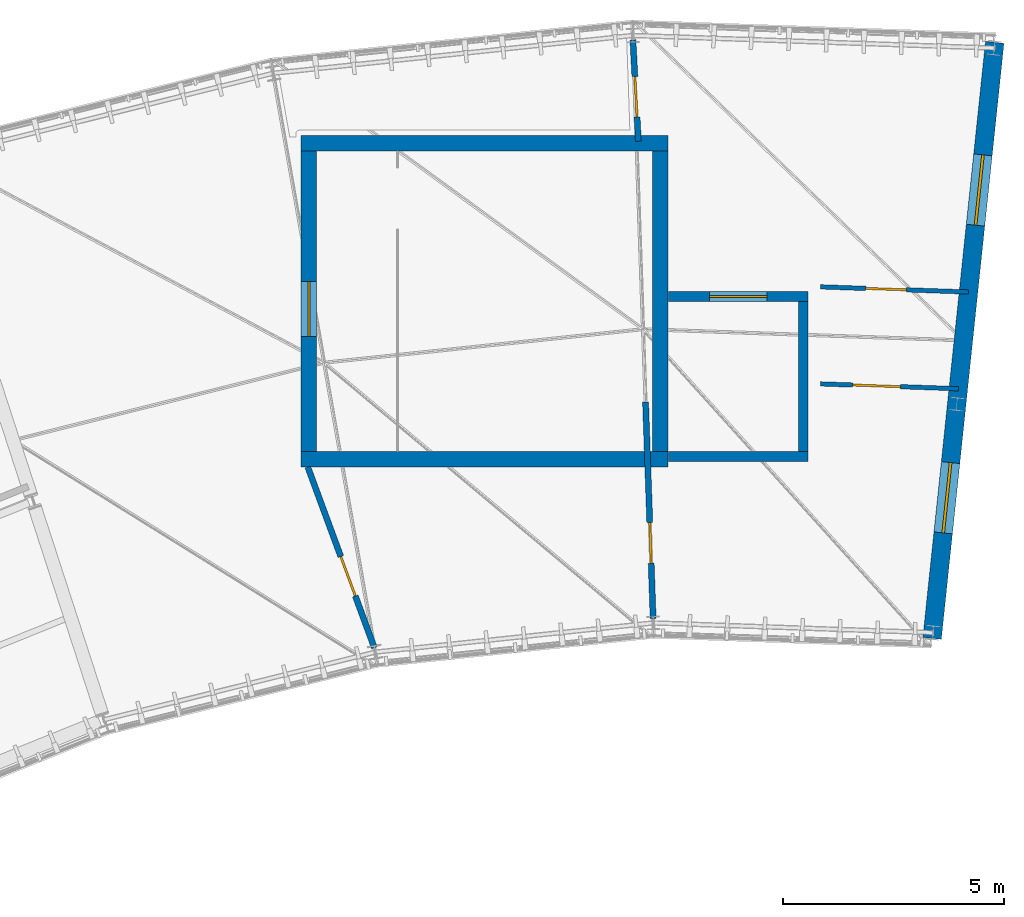
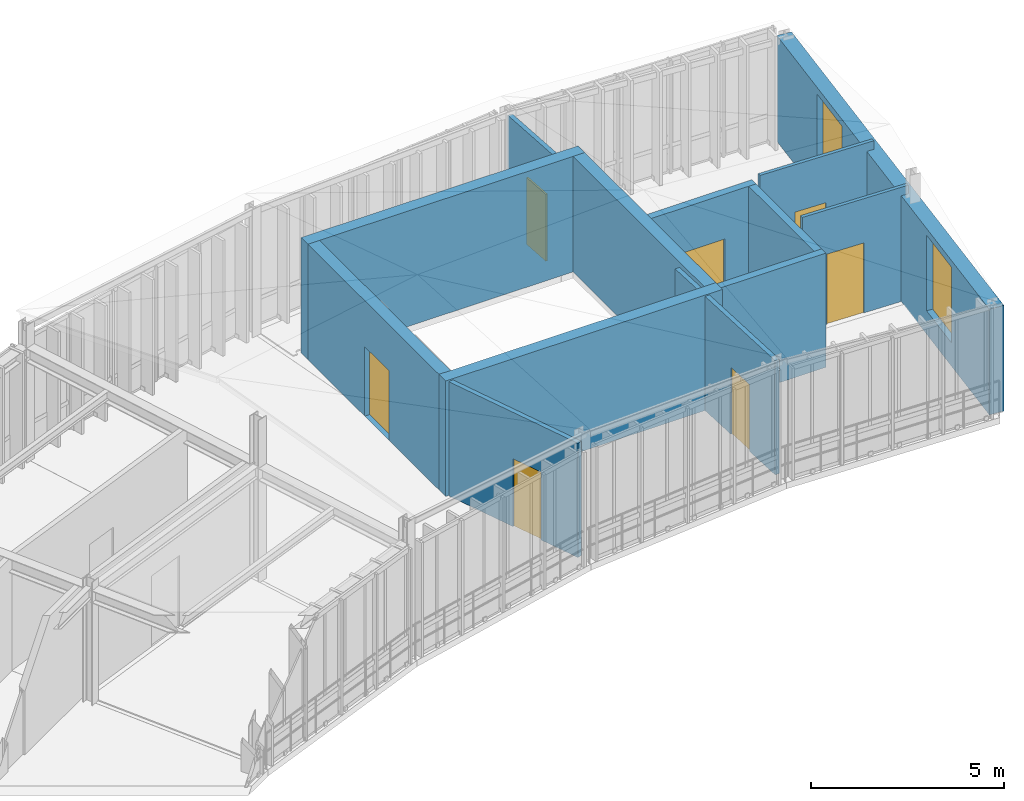
# One storey, part 33 of 42: 13 walls, 7 doors, 2 windows, 9 openings.
"""IFC4 building model written with IfcOpenShell, lengths in metres."""

import ifcopenshell
import ifcopenshell.guid

model = None  # the IFC model being written
_history = None  # IfcOwnerHistory: only IFC2X3 demands one
_inside = {}  # id of a spatial element -> (the spatial element, [elements in it])
_under = {}  # id of a project, library or spatial element -> (it, [spatial elements below it])
_declared = {}  # id of a project -> (the project, [libraries it declares])
_typed = {}  # id of a type object -> (the type object, [elements of that type])
_made_of = {}  # id of a material, layer set ... -> (it, [elements and type objects made of it])


def new_model(schema):
    """Start an empty IFC model of exactly this schema.

    Asked for "IFC4X3", IfcOpenShell would pick the latest addendum, in which some entities
    have other attributes; the version numbers below select the first issue.
    IFC2X3 requires an IfcOwnerHistory on every rooted entity: one is made here for all.
    """
    global model, _history
    if schema == "IFC4X3":
        model = ifcopenshell.file(schema_version=(4, 3, 0, 0))
    else:
        model = ifcopenshell.file(schema=schema)
    _inside.clear()
    _under.clear()
    _declared.clear()
    _typed.clear()
    _made_of.clear()
    _history = None
    if model.schema == "IFC2X3":
        org = make("IfcOrganization", Name="unknown")
        user = make(
            "IfcPersonAndOrganization",
            ThePerson=make("IfcPerson", FamilyName="unknown"),
            TheOrganization=org,
        )
        app = make(
            "IfcApplication",
            ApplicationDeveloper=org,
            Version="unknown",
            ApplicationFullName="unknown",
            ApplicationIdentifier="unknown",
        )
        _history = make(
            "IfcOwnerHistory",
            OwningUser=user,
            OwningApplication=app,
            ChangeAction="ADDED",
            CreationDate=0,
        )
    return model


def make(cls, **values):
    """One entity of the class cls with the attributes given. An attribute that is None is left unset."""
    return model.create_entity(
        cls, **{name: value for name, value in values.items() if value is not None}
    )


def rooted(cls, **values):
    """An entity with a GlobalId (a new one), such as an element, a storey or a relation."""
    return make(cls, GlobalId=ifcopenshell.guid.new(), OwnerHistory=_history, **values)


def si_unit(unit_type, name, prefix=None):
    """IfcSIUnit, for example si_unit("LENGTHUNIT", "METRE", prefix="MILLI")."""
    return make("IfcSIUnit", UnitType=unit_type, Prefix=prefix, Name=name)


def assignment(units):
    """IfcUnitAssignment: the units of a project."""
    return None if units is None else make("IfcUnitAssignment", Units=units)


def point(xyz):
    """IfcCartesianPoint."""
    return None if xyz is None else make("IfcCartesianPoint", Coordinates=xyz)


def direction(xyz):
    """IfcDirection."""
    return None if xyz is None else make("IfcDirection", DirectionRatios=xyz)


def frame(location, z_axis=None, x_axis=None):
    """IfcAxis2Placement3D, a coordinate frame: its origin and axes. An axis left out is left unset."""
    return make(
        "IfcAxis2Placement3D",
        Location=point(location),
        Axis=direction(z_axis),
        RefDirection=direction(x_axis),
    )


def frame_2d(location, x_axis=None):
    """IfcAxis2Placement2D, a coordinate frame in the plane: its origin and x axis."""
    return make(
        "IfcAxis2Placement2D", Location=point(location), RefDirection=direction(x_axis)
    )


def origin():
    """The frame at (0, 0, 0) with its axes left unset."""
    return frame((0.0, 0.0, 0.0))


def place(relative_to, where):
    """IfcLocalPlacement: puts the frame where relative to a parent placement (None: the world)."""
    return make(
        "IfcLocalPlacement", PlacementRelTo=relative_to, RelativePlacement=where
    )


def context(
    kind, dimensions, precision=None, world=None, true_north=None, identifier=None
):
    """IfcGeometricRepresentationContext, for example the 3D "Model" context."""
    return make(
        "IfcGeometricRepresentationContext",
        ContextIdentifier=identifier,
        ContextType=kind,
        CoordinateSpaceDimension=dimensions,
        Precision=precision,
        WorldCoordinateSystem=world,
        TrueNorth=true_north,
    )


def subcontext(parent, identifier, kind, view, scale=None):
    """IfcGeometricRepresentationSubContext, for example "Body" below "Model"."""
    return make(
        "IfcGeometricRepresentationSubContext",
        ContextIdentifier=identifier,
        ContextType=kind,
        ParentContext=parent,
        TargetScale=scale,
        TargetView=view,
    )


def project(units=None, contexts=None):
    """IfcProject with its units and contexts."""
    return rooted(
        "IfcProject",
        Name="project",
        RepresentationContexts=contexts,
        UnitsInContext=assignment(units),
    )


def spatial(cls, under=None, at=None, **own):
    """A site, building, storey or space (cls), placed at a placement, below another one or the project."""
    s = rooted(cls, ObjectPlacement=at, **own)
    if under is not None:
        _under.setdefault(under.id(), (under, []))[1].append(s)
    return s


def profile(cls, at=None, kind="AREA", **sizes):
    """A parametric profile (cls). Its sizes go by their IFC names, for example OverallWidth=200.0."""
    return make(cls, ProfileType=kind, Position=at, **sizes)


def rectangle(**sizes):
    """IfcRectangleProfileDef."""
    return profile("IfcRectangleProfileDef", **sizes)


def extrude(swept, where, along, depth):
    """IfcExtrudedAreaSolid: the profile swept, set in the frame where, extruded along a direction by depth."""
    return make(
        "IfcExtrudedAreaSolid",
        SweptArea=swept,
        Position=where,
        ExtrudedDirection=direction(along),
        Depth=depth,
    )


def shape(context_of_items, identifier, shape_type, items):
    """IfcShapeRepresentation: the items that make up one representation, for example the "Body"."""
    return make(
        "IfcShapeRepresentation",
        ContextOfItems=context_of_items,
        RepresentationIdentifier=identifier,
        RepresentationType=shape_type,
        Items=items,
    )


def material(Name=None, Category=None):
    """IfcMaterial."""
    return make("IfcMaterial", Name=Name, Category=Category)


def layer(
    of_material, thickness, ventilated=None, Name=None, Category=None, Priority=None
):
    """IfcMaterialLayer: one layer of a wall or slab, of a material (None: an air gap)."""
    return make(
        "IfcMaterialLayer",
        Material=of_material,
        LayerThickness=thickness,
        IsVentilated=ventilated,
        Name=Name,
        Category=Category,
        Priority=Priority,
    )


def layer_set(layers, Name=None):
    """IfcMaterialLayerSet."""
    return make("IfcMaterialLayerSet", MaterialLayers=layers, LayerSetName=Name)


def made_of(thing, what):
    """Note that an element or type object is made of a material, layer set ...; save() writes the relation."""
    if what is not None:
        _made_of.setdefault(what.id(), (what, []))[1].append(thing)
    return thing


def type_object(cls, material=None, **own):
    """A type object (cls), such as IfcWallType, which elements share."""
    return made_of(rooted(cls, **own), material)


def element(
    cls,
    number,
    at=None,
    inside=None,
    cuts=None,
    type_object=None,
    material=None,
    context=None,
    identifier="Body",
    shape_type=None,
    held_by="IfcProductDefinitionShape",
    body=None,
    shapes=None,
    **own,
):
    """One element of the class cls, such as IfcWall. Its Tag is "e" and its number.

    at: its placement. inside: the storey or other place that contains it. cuts: it is an
    opening in that element (IfcRelVoidsElement). A single representation is given by context,
    identifier, shape_type and body (its items); several are given by shapes. held_by: the class
    of the entity that holds the representations. save() writes the other relations.
    """
    e = rooted(cls, Tag="e%d" % number, ObjectPlacement=at, **own)
    if body is not None:
        shapes = [shape(context, identifier, shape_type, body)]
    if shapes is not None:
        e.Representation = make(held_by, Representations=shapes)
    if inside is not None:
        _inside.setdefault(inside.id(), (inside, []))[1].append(e)
    if cuts is not None:
        rooted(
            "IfcRelVoidsElement", RelatingBuildingElement=cuts, RelatedOpeningElement=e
        )
    if type_object is not None:
        _typed.setdefault(type_object.id(), (type_object, []))[1].append(e)
    return made_of(e, material)


def fill(opening, filler):
    """IfcRelFillsElement: the door or window that sits in an opening."""
    return rooted(
        "IfcRelFillsElement",
        RelatingOpeningElement=opening,
        RelatedBuildingElement=filler,
    )


def aggregate(whole, parts):
    """IfcRelAggregates: a whole, such as a stair, and the parts it consists of."""
    return rooted("IfcRelAggregates", RelatingObject=whole, RelatedObjects=parts)


def save(model, path):
    """Write the relations noted so far, then the file.

    IfcRelAggregates (storeys below a building ...), IfcRelContainedInSpatialStructure (elements
    in a storey), IfcRelDefinesByType, IfcRelAssociatesMaterial and IfcRelDeclares: one each for
    every whole, place, type object, material and project.
    """
    for whole, parts in _under.values():
        aggregate(whole, parts)
    for where, things in _inside.values():
        rooted(
            "IfcRelContainedInSpatialStructure",
            RelatedElements=things,
            RelatingStructure=where,
        )
    for kind, things in _typed.values():
        rooted("IfcRelDefinesByType", RelatedObjects=things, RelatingType=kind)
    for what, things in _made_of.values():
        rooted("IfcRelAssociatesMaterial", RelatedObjects=things, RelatingMaterial=what)
    for by, libraries in _declared.values():
        rooted("IfcRelDeclares", RelatingContext=by, RelatedDefinitions=libraries)
    model.write(path)


model = new_model("IFC4")

# Units and contexts
model_context = context("Model", 3, precision=1e-05, world=origin(), true_north=direction((0.0, 1.0)))
body_context = subcontext(model_context, "Body", "Model", "MODEL_VIEW")
ifc_project = project(units=[si_unit("LENGTHUNIT", "METRE"), si_unit("AREAUNIT", "SQUARE_METRE"), si_unit("VOLUMEUNIT", "CUBIC_METRE"), si_unit("PLANEANGLEUNIT", "RADIAN"), si_unit("MASSUNIT", "GRAM", prefix="KILO"), si_unit("THERMODYNAMICTEMPERATUREUNIT", "KELVIN"), si_unit("POWERUNIT", "WATT")], contexts=[model_context])

# Site, building, storey
site_placement = place(None, origin())
site = spatial("IfcSite", under=ifc_project, at=site_placement, CompositionType="ELEMENT")
building_placement = place(site_placement, origin())
building = spatial("IfcBuilding", under=site, at=building_placement, Name="Solvatero Civic Police Headquarters", CompositionType="ELEMENT")
storey_placement = place(building_placement, frame((0.0, 0.0, 21.60009765625)))
storey = spatial("IfcBuildingStorey", under=building, at=storey_placement, Name="L05", CompositionType="ELEMENT", Elevation=21.60009765625)

# Wall, openings, windows
ifc_material_1 = material(Name="Cream Limestone Ashlar", Category="masonry")
ifc_layer_1 = layer(ifc_material_1, 0.419921875)
ifc_layer_set_1 = layer_set([ifc_layer_1], Name="Cream Limestone Ashlar")
wall_type_1 = type_object("IfcWallType", Name="WL-EXT-LIME-420", PredefinedType="SOLIDWALL", material=ifc_layer_set_1)
wall_1_placement = place(storey_placement, frame((98.726806640625, 70.972412109375, 0.0), z_axis=(0.0, 0.0, 1.0), x_axis=(0.104534827036, 0.994521226489, 0.0)))
wall_1 = element("IfcWall", 1, at=wall_1_placement, inside=storey, type_object=wall_type_1, Name="Exterior Wall WLE-L05-ARC-END-E", PredefinedType="SOLIDWALL", context=body_context, shape_type="SweptSolid", body=[
    extrude(rectangle(XDim=13.559814453125, YDim=0.419921875, at=frame_2d((6.77978515625, 0.0))), origin(), (0.0, 0.0, 1.0), 3.349853515625),
])
opening_1_placement = place(wall_1_placement, frame((2.39990234375, 0.0, 0.739990234375)))
opening_1 = element("IfcOpeningElement", 2, at=opening_1_placement, cuts=wall_1, Name="Opening W-04", PredefinedType="OPENING", context=body_context, shape_type="SweptSolid", body=[
    extrude(rectangle(XDim=1.60009765625, YDim=2.39990234375, at=frame_2d((0.800048828125, 1.199951171875))), frame((0.0, 0.219970703125, 0.0), z_axis=(0.0, -1.0, 0.0), x_axis=(1.0, 0.0, 0.0)), (0.0, 0.0, 1.0), 0.43994140625),
])
opening_2_placement = place(wall_1_placement, frame((9.39990234375, 0.0, 0.739990234375)))
opening_2 = element("IfcOpeningElement", 3, at=opening_2_placement, cuts=wall_1, Name="Opening W-04", PredefinedType="OPENING", context=body_context, shape_type="SweptSolid", body=[
    extrude(rectangle(XDim=1.60009765625, YDim=2.39990234375, at=frame_2d((0.800048828125, 1.199951171875))), frame((0.0, 0.219970703125, 0.0), z_axis=(0.0, -1.0, 0.0), x_axis=(1.0, 0.0, 0.0)), (0.0, 0.0, 1.0), 0.43994140625),
])
ifc_material_2 = material(Name="Anodized Bronze Aluminium", Category="aluminium")
window_type = type_object("IfcWindowType", Name="WN-CL-160x240", PartitioningType="SINGLE_PANEL", PredefinedType="WINDOW", material=ifc_material_2)
window_1_placement = place(opening_1_placement, origin())
window_1 = element("IfcWindow", 4, at=window_1_placement, inside=storey, type_object=window_type, Name="Exterior Window 0291", OverallHeight=2.39990234375, OverallWidth=1.60009765625, PartitioningType="SINGLE_PANEL", PredefinedType="WINDOW", context=body_context, shape_type="SweptSolid", body=[
    extrude(rectangle(XDim=1.60009765625, YDim=2.39990234375, at=frame_2d((0.800048828125, 1.199951171875))), frame((0.0, 0.030029296875, 0.0), z_axis=(0.0, -1.0, 0.0), x_axis=(1.0, 0.0, 0.0)), (0.0, 0.0, 1.0), 0.06005859375),
])
fill(opening_1, window_1)
window_2_placement = place(opening_2_placement, origin())
window_2 = element("IfcWindow", 5, at=window_2_placement, inside=storey, type_object=window_type, Name="Exterior Window 0292", OverallHeight=2.39990234375, OverallWidth=1.60009765625, PartitioningType="SINGLE_PANEL", PredefinedType="WINDOW", context=body_context, shape_type="SweptSolid", body=[
    extrude(rectangle(XDim=1.60009765625, YDim=2.39990234375, at=frame_2d((0.800048828125, 1.199951171875))), frame((0.0, 0.030029296875, 0.0), z_axis=(0.0, -1.0, 0.0), x_axis=(1.0, 0.0, 0.0)), (0.0, 0.0, 1.0), 0.06005859375),
])
fill(opening_2, window_2)

# Wall, opening, door
ifc_material_3 = material(Name="Gypsum Acoustic Stud", Category="gypsum")
ifc_layer_2 = layer(ifc_material_3, 0.10009765625)
ifc_layer_set_2 = layer_set([ifc_layer_2], Name="Gypsum Acoustic Stud")
wall_type_2 = type_object("IfcWallType", Name="WL-PTN-100", PredefinedType="PARTITIONING", material=ifc_layer_set_2)
wall_2_placement = place(storey_placement, frame((99.320556640625, 76.62109375, 0.0), z_axis=(0.0, 0.0, 1.0), x_axis=(-0.999389073029, 0.034949688284, 0.0)))
wall_2 = element("IfcWall", 6, at=wall_2_placement, inside=storey, type_object=wall_type_2, Name="Interior Partition WLP-L05-ARC-CIN-B01", PredefinedType="PARTITIONING", context=body_context, shape_type="SweptSolid", body=[
    extrude(rectangle(XDim=3.12255859375, YDim=0.10009765625, at=frame_2d((1.561279296875, 0.0))), origin(), (0.0, 0.0, 1.0), 3.619873046875),
])
opening_3_placement = place(wall_2_placement, frame((1.31103515625, 0.0, 0.0)))
opening_3 = element("IfcOpeningElement", 7, at=opening_3_placement, cuts=wall_2, Name="Opening ID-08", PredefinedType="OPENING", context=body_context, shape_type="SweptSolid", body=[
    extrude(rectangle(XDim=1.080078125, YDim=2.219970703125, at=frame_2d((0.5400390625, 1.10986328125))), frame((0.0, 0.06005859375, 0.0), z_axis=(0.0, -1.0, 0.0), x_axis=(1.0, 0.0, 0.0)), (0.0, 0.0, 1.0), 0.1201171875),
])
ifc_material_4 = material(Name="Powder-Coated Steel", Category="steel")
door_type_1 = type_object("IfcDoorType", Name="DR-LAB-108x222", OperationType="NOTDEFINED", PredefinedType="DOOR", material=ifc_material_4)
door_1_placement = place(opening_3_placement, origin())
door_1 = element("IfcDoor", 8, at=door_1_placement, inside=storey, type_object=door_type_1, Name="Interior Door DR-L05-ARC-IN-B01", OperationType="SINGLE_SWING_LEFT", OverallHeight=2.219970703125, OverallWidth=1.080078125, PredefinedType="DOOR", context=body_context, shape_type="SweptSolid", body=[
    extrude(rectangle(XDim=1.080078125, YDim=2.219970703125, at=frame_2d((0.5400390625, 1.10986328125))), frame((0.0, 0.02490234375, 0.0), z_axis=(0.0, -1.0, 0.0), x_axis=(1.0, 0.0, 0.0)), (0.0, 0.0, 1.0), 0.050048828125),
])
fill(opening_3, door_1)

wall_3_placement = place(storey_placement, frame((99.550537109375, 78.80908203125, 0.0), z_axis=(0.0, 0.0, 1.0), x_axis=(-0.999391468521, 0.034881121642, 0.0)))
wall_3 = element("IfcWall", 9, at=wall_3_placement, inside=storey, type_object=wall_type_2, Name="Interior Partition WLP-L05-ARC-COUT-B01", PredefinedType="PARTITIONING", context=body_context, shape_type="SweptSolid", body=[
    extrude(rectangle(XDim=3.3525390625, YDim=0.10009765625, at=frame_2d((1.67626953125, 0.0))), origin(), (0.0, 0.0, 1.0), 3.619873046875),
])
opening_4_placement = place(wall_3_placement, frame((1.407958984375, 0.0, 0.0)))
opening_4 = element("IfcOpeningElement", 10, at=opening_4_placement, cuts=wall_3, Name="Opening ID-03", PredefinedType="OPENING", context=body_context, shape_type="SweptSolid", body=[
    extrude(rectangle(XDim=0.919921875, YDim=2.1201171875, at=frame_2d((0.4599609375, 1.06005859375))), frame((0.0, 0.06005859375, 0.0), z_axis=(0.0, -1.0, 0.0), x_axis=(1.0, 0.0, 0.0)), (0.0, 0.0, 1.0), 0.1201171875),
])
ifc_material_5 = material(Name="Acoustic Oak Timber Veneer", Category="wood")
door_type_2 = type_object("IfcDoorType", Name="DR-OFF-092x212", OperationType="NOTDEFINED", PredefinedType="DOOR", material=ifc_material_5)
door_2_placement = place(opening_4_placement, origin())
door_2 = element("IfcDoor", 11, at=door_2_placement, inside=storey, type_object=door_type_2, Name="Interior Door DR-L05-ARC-OUT-B01", OperationType="SINGLE_SWING_RIGHT", OverallHeight=2.1201171875, OverallWidth=0.919921875, PredefinedType="DOOR", context=body_context, shape_type="SweptSolid", body=[
    extrude(rectangle(XDim=0.919921875, YDim=2.1201171875, at=frame_2d((0.4599609375, 1.06005859375))), frame((0.0, 0.02490234375, 0.0), z_axis=(0.0, -1.0, 0.0), x_axis=(1.0, 0.0, 0.0)), (0.0, 0.0, 1.0), 0.050048828125),
])
fill(opening_4, door_2)

ifc_material_6 = material(Name="Gypsum Double-Stud", Category="gypsum")
ifc_layer_3 = layer(ifc_material_6, 0.135009765625)
ifc_layer_set_3 = layer_set([ifc_layer_3], Name="Gypsum Double-Stud")
wall_type_3 = type_object("IfcWallType", Name="WL-PTN-135", PredefinedType="PARTITIONING", material=ifc_layer_set_3)
wall_4_placement = place(storey_placement, frame((92.413818359375, 71.42236328125, 0.0), z_axis=(0.0, 0.0, 1.0), x_axis=(-0.034877560821, 0.999391592796, 0.0)))
wall_4 = element("IfcWall", 12, at=wall_4_placement, inside=storey, type_object=wall_type_3, Name="Interior Partition WLP-L05-ARC-R12-IN", PredefinedType="PARTITIONING", context=body_context, shape_type="SweptSolid", body=[
    extrude(rectangle(XDim=4.89990234375, YDim=0.135009765625, at=frame_2d((2.449951171875, 0.0))), origin(), (0.0, 0.0, 1.0), 3.619873046875),
])
opening_5_placement = place(wall_4_placement, frame((1.25, 0.0, 0.0)))
opening_5 = element("IfcOpeningElement", 13, at=opening_5_placement, cuts=wall_4, Name="Opening ID-03", PredefinedType="OPENING", context=body_context, shape_type="SweptSolid", body=[
    extrude(rectangle(XDim=0.919921875, YDim=2.1201171875, at=frame_2d((0.4599609375, 1.06005859375))), frame((0.0, 0.077392578125, 0.0), z_axis=(0.0, -1.0, 0.0), x_axis=(1.0, 0.0, 0.0)), (0.0, 0.0, 1.0), 0.155029296875),
])
door_3_placement = place(opening_5_placement, origin())
door_3 = element("IfcDoor", 14, at=door_3_placement, inside=storey, type_object=door_type_2, Name="Interior Door DR-L05-ARC-R12-IN", OperationType="SINGLE_SWING_LEFT", OverallHeight=2.1201171875, OverallWidth=0.919921875, PredefinedType="DOOR", context=body_context, shape_type="SweptSolid", body=[
    extrude(rectangle(XDim=0.919921875, YDim=2.1201171875, at=frame_2d((0.4599609375, 1.06005859375))), frame((0.0, 0.02490234375, 0.0), z_axis=(0.0, -1.0, 0.0), x_axis=(1.0, 0.0, 0.0)), (0.0, 0.0, 1.0), 0.050048828125),
])
fill(opening_5, door_3)

wall_5_placement = place(storey_placement, frame((92.080078125, 82.219970703125, 0.0), z_axis=(0.0, 0.0, 1.0), x_axis=(-0.053763372444, 0.998553704006, 0.0)))
wall_5 = element("IfcWall", 15, at=wall_5_placement, inside=storey, type_object=wall_type_3, Name="Interior Partition WLP-L05-ARC-R12-OUT", PredefinedType="PARTITIONING", context=body_context, shape_type="SweptSolid", body=[
    extrude(rectangle(XDim=2.2978515625, YDim=0.135009765625, at=frame_2d((1.14892578125, 0.0))), origin(), (0.0, 0.0, 1.0), 3.619873046875),
])
opening_6_placement = place(wall_5_placement, frame((0.550048828125, 0.0, 0.0)))
opening_6 = element("IfcOpeningElement", 16, at=opening_6_placement, cuts=wall_5, Name="Opening ID-03", PredefinedType="OPENING", context=body_context, shape_type="SweptSolid", body=[
    extrude(rectangle(XDim=0.919921875, YDim=2.1201171875, at=frame_2d((0.4599609375, 1.06005859375))), frame((0.0, 0.077392578125, 0.0), z_axis=(0.0, -1.0, 0.0), x_axis=(1.0, 0.0, 0.0)), (0.0, 0.0, 1.0), 0.155029296875),
])
door_4_placement = place(opening_6_placement, origin())
door_4 = element("IfcDoor", 17, at=door_4_placement, inside=storey, type_object=door_type_2, Name="Interior Door DR-L05-ARC-R12-OUT", OperationType="SINGLE_SWING_RIGHT", OverallHeight=2.1201171875, OverallWidth=0.919921875, PredefinedType="DOOR", context=body_context, shape_type="SweptSolid", body=[
    extrude(rectangle(XDim=0.919921875, YDim=2.1201171875, at=frame_2d((0.4599609375, 1.06005859375))), frame((0.0, 0.02490234375, 0.0), z_axis=(0.0, -1.0, 0.0), x_axis=(1.0, 0.0, 0.0)), (0.0, 0.0, 1.0), 0.050048828125),
])
fill(opening_6, door_4)

wall_6_placement = place(storey_placement, frame((86.107666015625, 70.759521484375, 0.0), z_axis=(0.0, 0.0, 1.0), x_axis=(-0.345809164341, 0.938304866159, 0.0)))
wall_6 = element("IfcWall", 18, at=wall_6_placement, inside=storey, type_object=wall_type_3, Name="Interior Partition WLP-L05-ARC-R23-IN", PredefinedType="PARTITIONING", context=body_context, shape_type="SweptSolid", body=[
    extrude(rectangle(XDim=4.359619140625, YDim=0.135009765625, at=frame_2d((2.1796875, 0.0))), origin(), (0.0, 0.0, 1.0), 3.619873046875),
])
opening_7_placement = place(wall_6_placement, frame((1.25, 0.0, 0.0)))
opening_7 = element("IfcOpeningElement", 19, at=opening_7_placement, cuts=wall_6, Name="Opening ID-04", PredefinedType="OPENING", context=body_context, shape_type="SweptSolid", body=[
    extrude(rectangle(XDim=0.949951171875, YDim=2.14990234375, at=frame_2d((0.47509765625, 1.074951171875))), frame((0.0, 0.077392578125, 0.0), z_axis=(0.0, -1.0, 0.0), x_axis=(1.0, 0.0, 0.0)), (0.0, 0.0, 1.0), 0.155029296875),
])
door_type_3 = type_object("IfcDoorType", Name="DR-ACC-095x215", OperationType="NOTDEFINED", PredefinedType="DOOR", material=ifc_material_5)
door_5_placement = place(opening_7_placement, origin())
door_5 = element("IfcDoor", 20, at=door_5_placement, inside=storey, type_object=door_type_3, Name="Interior Door DR-L05-ARC-R23-IN", OperationType="SINGLE_SWING_LEFT", OverallHeight=2.14990234375, OverallWidth=0.949951171875, PredefinedType="DOOR", context=body_context, shape_type="SweptSolid", body=[
    extrude(rectangle(XDim=0.949951171875, YDim=2.14990234375, at=frame_2d((0.47509765625, 1.074951171875))), frame((0.0, 0.02490234375, 0.0), z_axis=(0.0, -1.0, 0.0), x_axis=(1.0, 0.0, 0.0)), (0.0, 0.0, 1.0), 0.050048828125),
])
fill(opening_7, door_5)

# Wall
ifc_material_7 = material(Name="Concrete C35/45", Category="concrete")
ifc_layer_4 = layer(ifc_material_7, 0.219970703125)
ifc_layer_set_4 = layer_set([ifc_layer_4], Name="Concrete C35/45")
wall_type_4 = type_object("IfcWallType", Name="WL-SHF-220", PredefinedType="PARTITIONING", material=ifc_layer_set_4)
wall_7_placement = place(storey_placement, frame((92.760009765625, 75.090087890625, 0.0), z_axis=(0.0, 0.0, 1.0), x_axis=(1.0, 0.0, 0.0)))
element("IfcWall", 21, at=wall_7_placement, inside=storey, type_object=wall_type_4, Name="Lift Shaft Wall WLS-LG-01-L05-S", PredefinedType="PARTITIONING", context=body_context, shape_type="SweptSolid", body=[
    extrude(rectangle(XDim=3.159912109375, YDim=0.219970703125, at=frame_2d((1.580078125, 0.0))), origin(), (0.0, 0.0, 1.0), 3.619873046875),
])

# Wall, opening, door
wall_8_placement = place(storey_placement, frame((92.760009765625, 78.7099609375, 0.0), z_axis=(0.0, 0.0, 1.0), x_axis=(1.0, 0.0, 0.0)))
wall_8 = element("IfcWall", 22, at=wall_8_placement, inside=storey, type_object=wall_type_4, Name="Lift Shaft Wall WLS-LG-01-L05-N", PredefinedType="PARTITIONING", context=body_context, shape_type="SweptSolid", body=[
    extrude(rectangle(XDim=3.159912109375, YDim=0.219970703125, at=frame_2d((1.580078125, 0.0))), origin(), (0.0, 0.0, 1.0), 3.619873046875),
])
opening_8_placement = place(wall_8_placement, frame((0.929931640625, 0.0, 0.0)))
opening_8 = element("IfcOpeningElement", 23, at=opening_8_placement, cuts=wall_8, Name="Opening LD-02", PredefinedType="OPENING", context=body_context, shape_type="SweptSolid", body=[
    extrude(rectangle(XDim=1.300048828125, YDim=2.199951171875, at=frame_2d((0.64990234375, 1.10009765625))), frame((0.0, 0.119873046875, 0.0), z_axis=(0.0, -1.0, 0.0), x_axis=(1.0, 0.0, 0.0)), (0.0, 0.0, 1.0), 0.239990234375),
])
ifc_material_8 = material(Name="Stainless Steel Grade 316", Category="steel")
door_type_4 = type_object("IfcDoorType", Name="DR-LFT-130x220", OperationType="DOUBLE_DOOR_SLIDING", PredefinedType="DOOR", material=ifc_material_8)
door_6_placement = place(opening_8_placement, origin())
door_6 = element("IfcDoor", 24, at=door_6_placement, inside=storey, type_object=door_type_4, Name="Interior Door DR-LFT-LG-01-L05", OperationType="DOUBLE_DOOR_SLIDING", OverallHeight=2.199951171875, OverallWidth=1.300048828125, PredefinedType="DOOR", context=body_context, shape_type="SweptSolid", body=[
    extrude(rectangle(XDim=1.300048828125, YDim=2.199951171875, at=frame_2d((0.64990234375, 1.10009765625))), frame((0.0, 0.02490234375, 0.0), z_axis=(0.0, -1.0, 0.0), x_axis=(1.0, 0.0, 0.0)), (0.0, 0.0, 1.0), 0.050048828125),
])
fill(opening_8, door_6)

# Walls
wall_9_placement = place(storey_placement, frame((95.81005859375, 75.199951171875, 0.0), z_axis=(0.0, 0.0, 1.0), x_axis=(0.0, 1.0, 0.0)))
element("IfcWall", 25, at=wall_9_placement, inside=storey, type_object=wall_type_4, Name="Lift Shaft Wall WLS-LG-01-L05-E", PredefinedType="PARTITIONING", context=body_context, shape_type="SweptSolid", body=[
    extrude(rectangle(XDim=3.400146484375, YDim=0.219970703125, at=frame_2d((1.7001953125, 0.0))), origin(), (0.0, 0.0, 1.0), 3.619873046875),
])
ifc_material_9 = material(Name="Concrete C40/50", Category="concrete")
ifc_layer_5 = layer(ifc_material_9, 0.35009765625)
ifc_layer_set_5 = layer_set([ifc_layer_5], Name="Concrete C40/50")
wall_type_5 = type_object("IfcWallType", Name="WL-SHR-350", PredefinedType="SHEAR", material=ifc_layer_set_5)
for number, where, z_axis, x_axis, name in (
    (26, (84.449951171875, 75.02490234375, 0.0), (0.0, 0.0, 1.0), (1.0, 0.0, 0.0), "Core C3 Shear Wall S L05"),
    (27, (84.449951171875, 82.175048828125, 0.0), (0.0, 0.0, 1.0), (1.0, 0.0, 0.0), "Core C3 Shear Wall N L05"),
):
    element("IfcWall", number, at=place(storey_placement, frame(where, z_axis=z_axis, x_axis=x_axis)), inside=storey, type_object=wall_type_5, Name=name, PredefinedType="SHEAR", context=body_context, shape_type="SweptSolid", body=[
        extrude(rectangle(XDim=8.300048828125, YDim=0.35009765625, at=frame_2d((4.14990234375, 0.0))), origin(), (0.0, 0.0, 1.0), 3.659912109375),
    ])

# Wall, opening, door
wall_10_placement = place(storey_placement, frame((84.625, 75.199951171875, 0.0), z_axis=(0.0, 0.0, 1.0), x_axis=(0.0, 1.0, 0.0)))
wall_10 = element("IfcWall", 28, at=wall_10_placement, inside=storey, type_object=wall_type_5, Name="Core C3 Shear Wall W L05", PredefinedType="SHEAR", context=body_context, shape_type="SweptSolid", body=[
    extrude(rectangle(XDim=6.800048828125, YDim=0.35009765625, at=frame_2d((3.39990234375, 0.0))), origin(), (0.0, 0.0, 1.0), 3.659912109375),
])
opening_9_placement = place(wall_10_placement, frame((2.60009765625, 0.0, 0.0)))
opening_9 = element("IfcOpeningElement", 29, at=opening_9_placement, cuts=wall_10, Name="Opening FD-01", PredefinedType="OPENING", context=body_context, shape_type="SweptSolid", body=[
    extrude(rectangle(XDim=1.25, YDim=2.199951171875, at=frame_2d((0.625, 1.10009765625))), frame((0.0, 0.18505859375, 0.0), z_axis=(0.0, -1.0, 0.0), x_axis=(1.0, 0.0, 0.0)), (0.0, 0.0, 1.0), 0.3701171875),
])
door_type_5 = type_object("IfcDoorType", Name="DR-STR-125x220", OperationType="NOTDEFINED", PredefinedType="DOOR", material=ifc_material_4)
door_7_placement = place(opening_9_placement, origin())
door_7 = element("IfcDoor", 30, at=door_7_placement, inside=storey, type_object=door_type_5, Name="Interior Door DR-STR-C3-L05", OperationType="SINGLE_SWING_LEFT", OverallHeight=2.199951171875, OverallWidth=1.25, PredefinedType="DOOR", context=body_context, shape_type="SweptSolid", body=[
    extrude(rectangle(XDim=1.25, YDim=2.199951171875, at=frame_2d((0.625, 1.10009765625))), frame((0.0, 0.02490234375, 0.0), z_axis=(0.0, -1.0, 0.0), x_axis=(1.0, 0.0, 0.0)), (0.0, 0.0, 1.0), 0.050048828125),
])
fill(opening_9, door_7)

# Wall
wall_11_placement = place(storey_placement, frame((92.574951171875, 75.199951171875, 0.0), z_axis=(0.0, 0.0, 1.0), x_axis=(0.0, 1.0, 0.0)))
element("IfcWall", 31, at=wall_11_placement, inside=storey, type_object=wall_type_5, Name="Core C3 Shear Wall E L05", PredefinedType="SHEAR", context=body_context, shape_type="SweptSolid", body=[
    extrude(rectangle(XDim=6.800048828125, YDim=0.35009765625, at=frame_2d((3.39990234375, 0.0))), origin(), (0.0, 0.0, 1.0), 3.659912109375),
])

save(model, "model.ifc")
